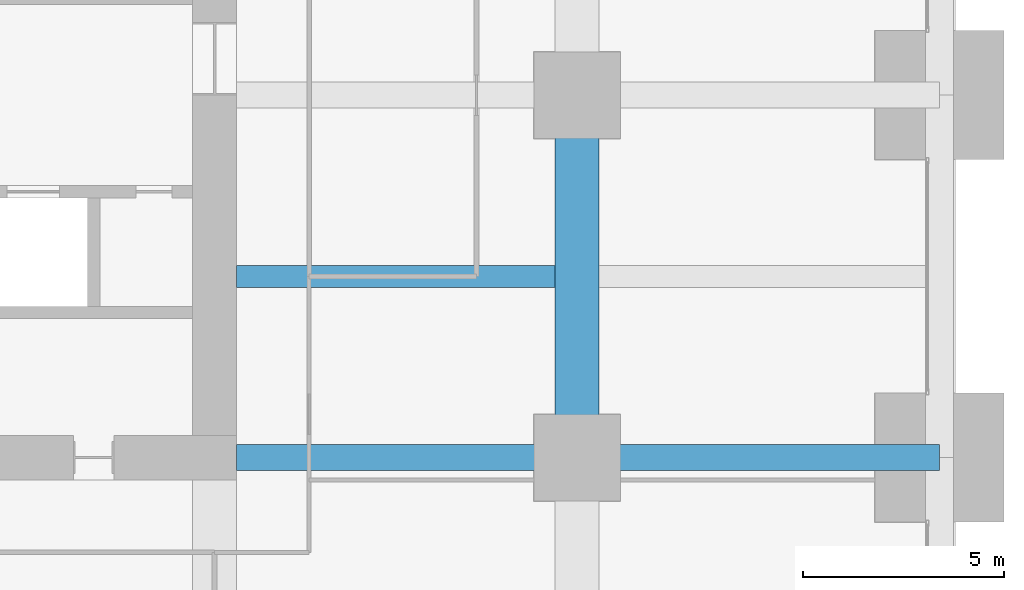
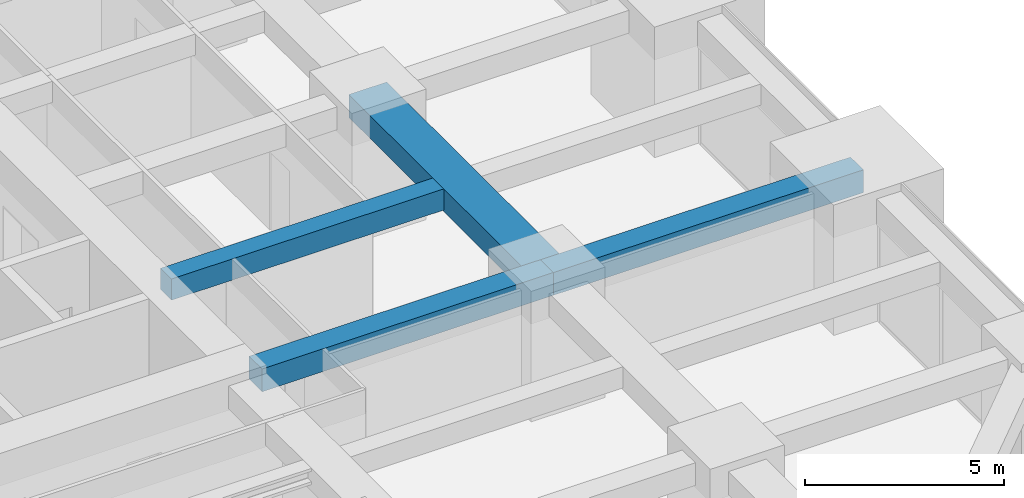
# One storey, part 20 of 41: 4 beams.
"""IFC4 building model written with IfcOpenShell, lengths in metres."""

import ifcopenshell
import ifcopenshell.guid

model = None  # the IFC model being written
_history = None  # IfcOwnerHistory: only IFC2X3 demands one
_inside = {}  # id of a spatial element -> (the spatial element, [elements in it])
_under = {}  # id of a project, library or spatial element -> (it, [spatial elements below it])
_declared = {}  # id of a project -> (the project, [libraries it declares])
_typed = {}  # id of a type object -> (the type object, [elements of that type])
_made_of = {}  # id of a material, layer set ... -> (it, [elements and type objects made of it])


def new_model(schema):
    """Start an empty IFC model of exactly this schema.

    Asked for "IFC4X3", IfcOpenShell would pick the latest addendum, in which some entities
    have other attributes; the version numbers below select the first issue.
    IFC2X3 requires an IfcOwnerHistory on every rooted entity: one is made here for all.
    """
    global model, _history
    if schema == "IFC4X3":
        model = ifcopenshell.file(schema_version=(4, 3, 0, 0))
    else:
        model = ifcopenshell.file(schema=schema)
    _inside.clear()
    _under.clear()
    _declared.clear()
    _typed.clear()
    _made_of.clear()
    _history = None
    if model.schema == "IFC2X3":
        org = make("IfcOrganization", Name="unknown")
        user = make(
            "IfcPersonAndOrganization",
            ThePerson=make("IfcPerson", FamilyName="unknown"),
            TheOrganization=org,
        )
        app = make(
            "IfcApplication",
            ApplicationDeveloper=org,
            Version="unknown",
            ApplicationFullName="unknown",
            ApplicationIdentifier="unknown",
        )
        _history = make(
            "IfcOwnerHistory",
            OwningUser=user,
            OwningApplication=app,
            ChangeAction="ADDED",
            CreationDate=0,
        )
    return model


def make(cls, **values):
    """One entity of the class cls with the attributes given. An attribute that is None is left unset."""
    return model.create_entity(
        cls, **{name: value for name, value in values.items() if value is not None}
    )


def rooted(cls, **values):
    """An entity with a GlobalId (a new one), such as an element, a storey or a relation."""
    return make(cls, GlobalId=ifcopenshell.guid.new(), OwnerHistory=_history, **values)


def si_unit(unit_type, name, prefix=None):
    """IfcSIUnit, for example si_unit("LENGTHUNIT", "METRE", prefix="MILLI")."""
    return make("IfcSIUnit", UnitType=unit_type, Prefix=prefix, Name=name)


def assignment(units):
    """IfcUnitAssignment: the units of a project."""
    return None if units is None else make("IfcUnitAssignment", Units=units)


def point(xyz):
    """IfcCartesianPoint."""
    return None if xyz is None else make("IfcCartesianPoint", Coordinates=xyz)


def direction(xyz):
    """IfcDirection."""
    return None if xyz is None else make("IfcDirection", DirectionRatios=xyz)


def frame(location, z_axis=None, x_axis=None):
    """IfcAxis2Placement3D, a coordinate frame: its origin and axes. An axis left out is left unset."""
    return make(
        "IfcAxis2Placement3D",
        Location=point(location),
        Axis=direction(z_axis),
        RefDirection=direction(x_axis),
    )


def frame_2d(location, x_axis=None):
    """IfcAxis2Placement2D, a coordinate frame in the plane: its origin and x axis."""
    return make(
        "IfcAxis2Placement2D", Location=point(location), RefDirection=direction(x_axis)
    )


def origin():
    """The frame at (0, 0, 0) with its axes left unset."""
    return frame((0.0, 0.0, 0.0))


def origin_2d():
    """The frame at (0, 0) in the plane with its x axis left unset."""
    return frame_2d((0.0, 0.0))


def place(relative_to, where):
    """IfcLocalPlacement: puts the frame where relative to a parent placement (None: the world)."""
    return make(
        "IfcLocalPlacement", PlacementRelTo=relative_to, RelativePlacement=where
    )


def context(
    kind, dimensions, precision=None, world=None, true_north=None, identifier=None
):
    """IfcGeometricRepresentationContext, for example the 3D "Model" context."""
    return make(
        "IfcGeometricRepresentationContext",
        ContextIdentifier=identifier,
        ContextType=kind,
        CoordinateSpaceDimension=dimensions,
        Precision=precision,
        WorldCoordinateSystem=world,
        TrueNorth=true_north,
    )


def subcontext(parent, identifier, kind, view, scale=None):
    """IfcGeometricRepresentationSubContext, for example "Body" below "Model"."""
    return make(
        "IfcGeometricRepresentationSubContext",
        ContextIdentifier=identifier,
        ContextType=kind,
        ParentContext=parent,
        TargetScale=scale,
        TargetView=view,
    )


def project(units=None, contexts=None):
    """IfcProject with its units and contexts."""
    return rooted(
        "IfcProject",
        Name="project",
        RepresentationContexts=contexts,
        UnitsInContext=assignment(units),
    )


def spatial(cls, under=None, at=None, **own):
    """A site, building, storey or space (cls), placed at a placement, below another one or the project."""
    s = rooted(cls, ObjectPlacement=at, **own)
    if under is not None:
        _under.setdefault(under.id(), (under, []))[1].append(s)
    return s


def profile(cls, at=None, kind="AREA", **sizes):
    """A parametric profile (cls). Its sizes go by their IFC names, for example OverallWidth=200.0."""
    return make(cls, ProfileType=kind, Position=at, **sizes)


def rectangle(**sizes):
    """IfcRectangleProfileDef."""
    return profile("IfcRectangleProfileDef", **sizes)


def extrude(swept, where, along, depth):
    """IfcExtrudedAreaSolid: the profile swept, set in the frame where, extruded along a direction by depth."""
    return make(
        "IfcExtrudedAreaSolid",
        SweptArea=swept,
        Position=where,
        ExtrudedDirection=direction(along),
        Depth=depth,
    )


def shape(context_of_items, identifier, shape_type, items):
    """IfcShapeRepresentation: the items that make up one representation, for example the "Body"."""
    return make(
        "IfcShapeRepresentation",
        ContextOfItems=context_of_items,
        RepresentationIdentifier=identifier,
        RepresentationType=shape_type,
        Items=items,
    )


def material(Name=None, Category=None):
    """IfcMaterial."""
    return make("IfcMaterial", Name=Name, Category=Category)


def material_profile(
    of_material, cross_section, Name=None, Category=None, Priority=None
):
    """IfcMaterialProfile: a cross section and its material."""
    return make(
        "IfcMaterialProfile",
        Name=Name,
        Material=of_material,
        Profile=cross_section,
        Priority=Priority,
        Category=Category,
    )


def profile_set(profiles, Name=None, composite=None):
    """IfcMaterialProfileSet."""
    return make(
        "IfcMaterialProfileSet",
        Name=Name,
        MaterialProfiles=profiles,
        CompositeProfile=composite,
    )


def made_of(thing, what):
    """Note that an element or type object is made of a material, layer set ...; save() writes the relation."""
    if what is not None:
        _made_of.setdefault(what.id(), (what, []))[1].append(thing)
    return thing


def type_object(cls, material=None, **own):
    """A type object (cls), such as IfcWallType, which elements share."""
    return made_of(rooted(cls, **own), material)


def element(
    cls,
    number,
    at=None,
    inside=None,
    cuts=None,
    type_object=None,
    material=None,
    context=None,
    identifier="Body",
    shape_type=None,
    held_by="IfcProductDefinitionShape",
    body=None,
    shapes=None,
    **own,
):
    """One element of the class cls, such as IfcWall. Its Tag is "e" and its number.

    at: its placement. inside: the storey or other place that contains it. cuts: it is an
    opening in that element (IfcRelVoidsElement). A single representation is given by context,
    identifier, shape_type and body (its items); several are given by shapes. held_by: the class
    of the entity that holds the representations. save() writes the other relations.
    """
    e = rooted(cls, Tag="e%d" % number, ObjectPlacement=at, **own)
    if body is not None:
        shapes = [shape(context, identifier, shape_type, body)]
    if shapes is not None:
        e.Representation = make(held_by, Representations=shapes)
    if inside is not None:
        _inside.setdefault(inside.id(), (inside, []))[1].append(e)
    if cuts is not None:
        rooted(
            "IfcRelVoidsElement", RelatingBuildingElement=cuts, RelatedOpeningElement=e
        )
    if type_object is not None:
        _typed.setdefault(type_object.id(), (type_object, []))[1].append(e)
    return made_of(e, material)


def aggregate(whole, parts):
    """IfcRelAggregates: a whole, such as a stair, and the parts it consists of."""
    return rooted("IfcRelAggregates", RelatingObject=whole, RelatedObjects=parts)


def save(model, path):
    """Write the relations noted so far, then the file.

    IfcRelAggregates (storeys below a building ...), IfcRelContainedInSpatialStructure (elements
    in a storey), IfcRelDefinesByType, IfcRelAssociatesMaterial and IfcRelDeclares: one each for
    every whole, place, type object, material and project.
    """
    for whole, parts in _under.values():
        aggregate(whole, parts)
    for where, things in _inside.values():
        rooted(
            "IfcRelContainedInSpatialStructure",
            RelatedElements=things,
            RelatingStructure=where,
        )
    for kind, things in _typed.values():
        rooted("IfcRelDefinesByType", RelatedObjects=things, RelatingType=kind)
    for what, things in _made_of.values():
        rooted("IfcRelAssociatesMaterial", RelatedObjects=things, RelatingMaterial=what)
    for by, libraries in _declared.values():
        rooted("IfcRelDeclares", RelatingContext=by, RelatedDefinitions=libraries)
    model.write(path)


model = new_model("IFC4")

# Units and contexts
model_context = context("Model", 3, precision=1e-05, world=origin(), true_north=direction((0.0, 1.0)))
body_context = subcontext(model_context, "Body", "Model", "MODEL_VIEW")
ifc_project = project(units=[si_unit("LENGTHUNIT", "METRE"), si_unit("AREAUNIT", "SQUARE_METRE"), si_unit("VOLUMEUNIT", "CUBIC_METRE"), si_unit("PLANEANGLEUNIT", "RADIAN"), si_unit("MASSUNIT", "GRAM", prefix="KILO")], contexts=[model_context])

# Site, building, storey
site_placement = place(None, origin())
site = spatial("IfcSite", under=ifc_project, at=site_placement, CompositionType="ELEMENT")
building_placement = place(site_placement, origin())
building = spatial("IfcBuilding", under=site, at=building_placement, Name="Zorevar Civic Tower", CompositionType="ELEMENT")
storey_placement = place(building_placement, frame((0.0, 0.0, 89.0)))
storey = spatial("IfcBuildingStorey", under=building, at=storey_placement, Name="L21", CompositionType="ELEMENT", Elevation=89.0)

# Beams
ifc_material_1 = material(Name="Concrete C50/60", Category="concrete")
ifc_material_profile_1 = material_profile(ifc_material_1, rectangle(XDim=1.10009765625, YDim=0.699951171875, at=origin_2d()), Name="RC 1100x700")
ifc_profile_set_1 = profile_set([ifc_material_profile_1], Name="Concrete C50/60")
beam_type_1 = type_object("IfcBeamType", Name="Beam RC 1100x700", PredefinedType="BEAM", material=ifc_profile_set_1)
beam_1_placement = place(storey_placement, frame((54.0, 18.0, 3.39990234375), z_axis=(0.0, 1.0, 0.0), x_axis=(-1.0, 0.0, 0.0)))
element("IfcBeam", 1, at=beam_1_placement, inside=storey, type_object=beam_type_1, Name="Girder L22", PredefinedType="BEAM", context=body_context, shape_type="SweptSolid", body=[
    extrude(rectangle(XDim=1.10009765625, YDim=0.699951171875, at=origin_2d()), origin(), (0.0, 0.0, 1.0), 9.0),
])
ifc_material_2 = material(Name="Concrete C50/60", Category="concrete")
ifc_material_profile_2 = material_profile(ifc_material_2, rectangle(XDim=0.550048828125, YDim=0.64990234375, at=origin_2d()), Name="RC 550x650")
ifc_profile_set_2 = profile_set([ifc_material_profile_2], Name="Concrete C50/60")
beam_type_2 = type_object("IfcBeamType", Name="Beam RC 550x650", PredefinedType="BEAM", material=ifc_profile_set_2)
beam_2_placement = place(storey_placement, frame((45.550048828125, 22.5, 3.425048828125), z_axis=(1.0, 0.0, 0.0), x_axis=(0.0, 1.0, 0.0)))
element("IfcBeam", 2, at=beam_2_placement, inside=storey, type_object=beam_type_2, Name="Secondary beam L22", PredefinedType="BEAM", context=body_context, shape_type="SweptSolid", body=[
    extrude(rectangle(XDim=0.550048828125, YDim=0.64990234375, at=origin_2d()), origin(), (0.0, 0.0, 1.0), 7.89990234375),
])
ifc_material_3 = material(Name="Concrete C50/60", Category="concrete")
ifc_material_profile_3 = material_profile(ifc_material_3, rectangle(XDim=0.64990234375, YDim=0.699951171875, at=origin_2d()), Name="RC 650x700")
ifc_profile_set_3 = profile_set([ifc_material_profile_3], Name="Concrete C50/60")
beam_type_3 = type_object("IfcBeamType", Name="Beam RC 650x700", PredefinedType="BEAM", material=ifc_profile_set_3)
beam_3_placement = place(storey_placement, frame((45.550048828125, 18.0, 3.39990234375), z_axis=(1.0, 0.0, 0.0), x_axis=(0.0, 1.0, 0.0)))
element("IfcBeam", 3, at=beam_3_placement, inside=storey, type_object=beam_type_3, Name="Girder L22", PredefinedType="BEAM", context=body_context, shape_type="SweptSolid", body=[
    extrude(rectangle(XDim=0.64990234375, YDim=0.699951171875, at=origin_2d()), origin(), (0.0, 0.0, 1.0), 8.449951171875),
])
beam_4_placement = place(storey_placement, frame((54.0, 18.0, 3.39990234375), z_axis=(1.0, 0.0, 0.0), x_axis=(0.0, 1.0, 0.0)))
element("IfcBeam", 4, at=beam_4_placement, inside=storey, type_object=beam_type_3, Name="Girder L22", PredefinedType="BEAM", context=body_context, shape_type="SweptSolid", body=[
    extrude(rectangle(XDim=0.64990234375, YDim=0.699951171875, at=origin_2d()), origin(), (0.0, 0.0, 1.0), 9.0),
])

save(model, "model.ifc")
